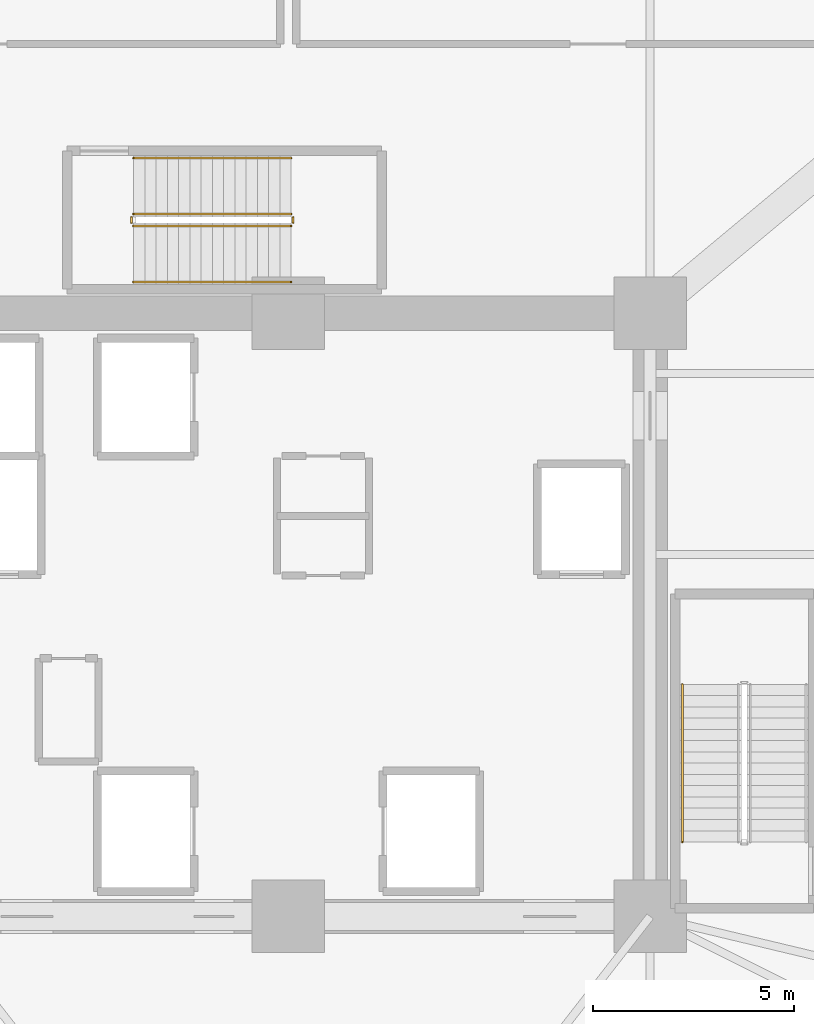
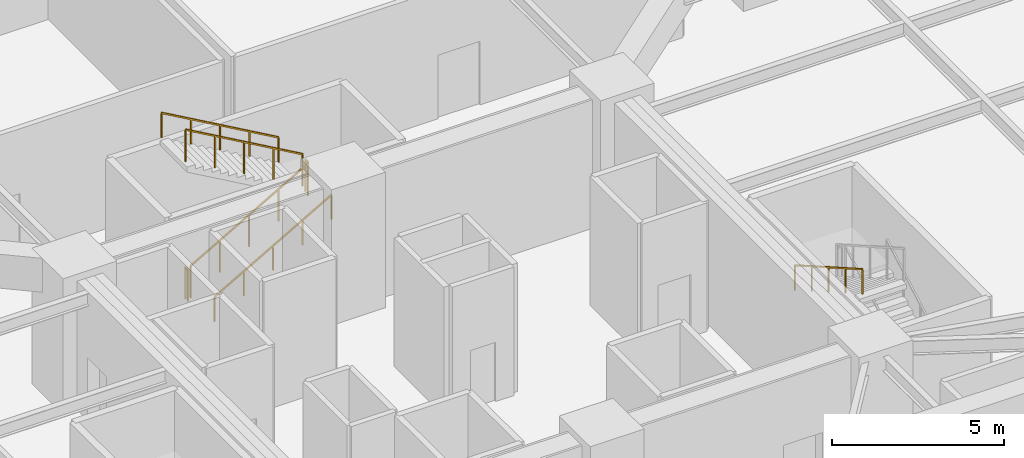
# One storey, part 18 of 20: 7 railings.
"""IFC4 building model written with IfcOpenShell, lengths in metres."""

from ifc_helpers import new_model, si_unit, direction, frame, origin, origin_2d, place, context, subcontext, project, spatial, rectangle, extrude, material, type_object, element, save


model = new_model("IFC4")

# Units and contexts
model_context = context("Model", 3, precision=1e-05, world=origin(), true_north=direction((0.0, 1.0)))
body_context = subcontext(model_context, "Body", "Model", "MODEL_VIEW")
ifc_project = project(units=[si_unit("LENGTHUNIT", "METRE"), si_unit("AREAUNIT", "SQUARE_METRE"), si_unit("VOLUMEUNIT", "CUBIC_METRE"), si_unit("PLANEANGLEUNIT", "RADIAN"), si_unit("MASSUNIT", "GRAM", prefix="KILO")], contexts=[model_context])

# Site, building, storey
site_placement = place(None, origin())
site = spatial("IfcSite", under=ifc_project, at=site_placement, CompositionType="ELEMENT")
building_placement = place(site_placement, origin())
building = spatial("IfcBuilding", under=site, at=building_placement, Name="Liaohun Quay Tower", CompositionType="ELEMENT")
storey_placement = place(building_placement, frame((0.0, 0.0, -4.800048828125)))
storey = spatial("IfcBuildingStorey", under=building, at=storey_placement, Name="B1", CompositionType="ELEMENT", Elevation=-4.800048828125)

# Railings
ifc_material_1 = material(Name="Painted tubular steel", Category="steel")
railing_type_1 = type_object("IfcRailingType", Name="RLG-GUARD-STR", PredefinedType="GUARDRAIL", material=ifc_material_1)
railing_1_placement = place(storey_placement, frame((56.14990234375, 63.669921875, 0.16015625)))
element("IfcRailing", 1, at=railing_1_placement, inside=storey, type_object=railing_type_1, Name="B1 ST-3 stair guard 1", PredefinedType="GUARDRAIL", context=body_context, shape_type="SweptSolid", body=[
    extrude(rectangle(XDim=0.048095703125, YDim=0.048095703125, at=origin_2d()), frame((0.0, 0.0, 1.1259765625), z_axis=(0.86825312469, 0.0, 0.496121468458), x_axis=(0.0, 1.0, 0.0)), (0.0, 0.0, 1.0), 4.514892578125),
    extrude(rectangle(XDim=0.0419921875, YDim=0.0419921875, at=origin_2d()), origin(), (0.0, 0.0, 1.0), 1.101806640625),
    extrude(rectangle(XDim=0.0419921875, YDim=0.0419921875, at=origin_2d()), frame((0.97998046875, 0.0, 0.56005859375)), (0.0, 0.0, 1.0), 1.101806640625),
    extrude(rectangle(XDim=0.0419921875, YDim=0.0419921875, at=origin_2d()), frame((1.9599609375, 0.0, 1.1201171875)), (0.0, 0.0, 1.0), 1.101806640625),
    extrude(rectangle(XDim=0.0419921875, YDim=0.0419921875, at=origin_2d()), frame((2.940185546875, 0.0, 1.679931640625)), (0.0, 0.0, 1.0), 1.101806640625),
    extrude(rectangle(XDim=0.0419921875, YDim=0.0419921875, at=origin_2d()), frame((3.920166015625, 0.0, 2.239990234375)), (0.0, 0.0, 1.0), 1.101806640625),
])
railing_2_placement = place(storey_placement, frame((60.1201171875, 63.75, 2.400146484375)))
element("IfcRailing", 2, at=railing_2_placement, inside=storey, type_object=railing_type_1, Name="B1 ST-3 stair guard 2", PredefinedType="GUARDRAIL", context=body_context, shape_type="SweptSolid", body=[
    extrude(rectangle(XDim=0.048095703125, YDim=0.048095703125, at=origin_2d()), frame((0.0, 0.0, 1.1259765625), z_axis=(0.0, 1.0, 0.0), x_axis=(-1.0, 0.0, 0.0)), (0.0, 0.0, 1.0), 0.139892578125),
    extrude(rectangle(XDim=0.0419921875, YDim=0.0419921875, at=origin_2d()), origin(), (0.0, 0.0, 1.0), 1.101806640625),
    extrude(rectangle(XDim=0.0419921875, YDim=0.0419921875, at=origin_2d()), frame((0.0, 0.139892578125, 0.0)), (0.0, 0.0, 1.0), 1.101806640625),
])
railing_3_placement = place(storey_placement, frame((60.070068359375, 63.969970703125, 2.56005859375)))
element("IfcRailing", 3, at=railing_3_placement, inside=storey, type_object=railing_type_1, Name="B1 ST-3 stair guard 3", PredefinedType="GUARDRAIL", context=body_context, shape_type="SweptSolid", body=[
    extrude(rectangle(XDim=0.048095703125, YDim=0.048095703125, at=origin_2d()), frame((0.0, 0.0, 1.1259765625), z_axis=(-0.86825312469, 0.0, 0.496121468458), x_axis=(0.0, -1.0, 0.0)), (0.0, 0.0, 1.0), 4.514892578125),
    extrude(rectangle(XDim=0.0419921875, YDim=0.0419921875, at=origin_2d()), origin(), (0.0, 0.0, 1.0), 1.101806640625),
    extrude(rectangle(XDim=0.0419921875, YDim=0.0419921875, at=origin_2d()), frame((-0.97998046875, 0.0, 0.56005859375)), (0.0, 0.0, 1.0), 1.101806640625),
    extrude(rectangle(XDim=0.0419921875, YDim=0.0419921875, at=origin_2d()), frame((-1.9599609375, 0.0, 1.1201171875)), (0.0, 0.0, 1.0), 1.101806640625),
    extrude(rectangle(XDim=0.0419921875, YDim=0.0419921875, at=origin_2d()), frame((-2.940185546875, 0.0, 1.679931640625)), (0.0, 0.0, 1.0), 1.101806640625),
    extrude(rectangle(XDim=0.0419921875, YDim=0.0419921875, at=origin_2d()), frame((-3.920166015625, 0.0, 2.239990234375)), (0.0, 0.0, 1.0), 1.101806640625),
])
railing_4_placement = place(storey_placement, frame((56.10009765625, 63.75, 0.0)))
element("IfcRailing", 4, at=railing_4_placement, inside=storey, type_object=railing_type_1, Name="B1 ST-3 stair guard 4", PredefinedType="GUARDRAIL", context=body_context, shape_type="SweptSolid", body=[
    extrude(rectangle(XDim=0.048095703125, YDim=0.048095703125, at=origin_2d()), frame((0.0, 0.0, 1.1259765625), z_axis=(0.0, 1.0, 0.0), x_axis=(-1.0, 0.0, 0.0)), (0.0, 0.0, 1.0), 0.139892578125),
    extrude(rectangle(XDim=0.0419921875, YDim=0.0419921875, at=origin_2d()), origin(), (0.0, 0.0, 1.0), 1.101806640625),
    extrude(rectangle(XDim=0.0419921875, YDim=0.0419921875, at=origin_2d()), frame((0.0, 0.139892578125, 0.0)), (0.0, 0.0, 1.0), 1.101806640625),
])
ifc_material_2 = material(Name="Brushed stainless steel", Category="steel")
railing_type_2 = type_object("IfcRailingType", Name="RLG-HND-STR", PredefinedType="HANDRAIL", material=ifc_material_2)
railing_5_placement = place(storey_placement, frame((69.800048828125, 52.27001953125, 2.56005859375)))
element("IfcRailing", 5, at=railing_5_placement, inside=storey, type_object=railing_type_2, Name="B1 ST-2 stair handrail 2", PredefinedType="HANDRAIL", context=body_context, shape_type="SweptSolid", body=[
    extrude(rectangle(XDim=0.048095703125, YDim=0.048095703125, at=origin_2d()), frame((0.0, 0.0, 0.8759765625), z_axis=(0.0, -0.868239814368, 0.496144761885), x_axis=(1.0, 0.0, 0.0)), (0.0, 0.0, 1.0), 4.514892578125),
    extrude(rectangle(XDim=0.0419921875, YDim=0.0419921875, at=origin_2d()), origin(), (0.0, 0.0, 1.0), 0.851806640625),
    extrude(rectangle(XDim=0.0419921875, YDim=0.0419921875, at=origin_2d()), frame((0.0, -0.97998046875, 0.56005859375)), (0.0, 0.0, 1.0), 0.851806640625),
    extrude(rectangle(XDim=0.0419921875, YDim=0.0419921875, at=origin_2d()), frame((0.0, -1.9599609375, 1.1201171875)), (0.0, 0.0, 1.0), 0.851806640625),
    extrude(rectangle(XDim=0.0419921875, YDim=0.0419921875, at=origin_2d()), frame((0.0, -2.93994140625, 1.679931640625)), (0.0, 0.0, 1.0), 0.851806640625),
    extrude(rectangle(XDim=0.0419921875, YDim=0.0419921875, at=origin_2d()), frame((0.0, -3.919921875, 2.239990234375)), (0.0, 0.0, 1.0), 0.851806640625),
])
railing_6_placement = place(storey_placement, frame((56.14990234375, 62.280029296875, 0.16015625)))
element("IfcRailing", 6, at=railing_6_placement, inside=storey, type_object=railing_type_2, Name="B1 ST-3 stair handrail 1", PredefinedType="HANDRAIL", context=body_context, shape_type="SweptSolid", body=[
    extrude(rectangle(XDim=0.048095703125, YDim=0.048095703125, at=origin_2d()), frame((0.0, 0.0, 0.8759765625), z_axis=(0.86825312469, 0.0, 0.496121468458), x_axis=(0.0, 1.0, 0.0)), (0.0, 0.0, 1.0), 4.514892578125),
    extrude(rectangle(XDim=0.0419921875, YDim=0.0419921875, at=origin_2d()), origin(), (0.0, 0.0, 1.0), 0.851806640625),
    extrude(rectangle(XDim=0.0419921875, YDim=0.0419921875, at=origin_2d()), frame((0.97998046875, 0.0, 0.56005859375)), (0.0, 0.0, 1.0), 0.851806640625),
    extrude(rectangle(XDim=0.0419921875, YDim=0.0419921875, at=origin_2d()), frame((1.9599609375, 0.0, 1.1201171875)), (0.0, 0.0, 1.0), 0.851806640625),
    extrude(rectangle(XDim=0.0419921875, YDim=0.0419921875, at=origin_2d()), frame((2.940185546875, 0.0, 1.679931640625)), (0.0, 0.0, 1.0), 0.851806640625),
    extrude(rectangle(XDim=0.0419921875, YDim=0.0419921875, at=origin_2d()), frame((3.920166015625, 0.0, 2.239990234375)), (0.0, 0.0, 1.0), 0.851806640625),
])
railing_7_placement = place(storey_placement, frame((60.070068359375, 65.360107421875, 2.56005859375)))
element("IfcRailing", 7, at=railing_7_placement, inside=storey, type_object=railing_type_2, Name="B1 ST-3 stair handrail 2", PredefinedType="HANDRAIL", context=body_context, shape_type="SweptSolid", body=[
    extrude(rectangle(XDim=0.048095703125, YDim=0.048095703125, at=origin_2d()), frame((0.0, 0.0, 0.8759765625), z_axis=(-0.86825312469, 0.0, 0.496121468458), x_axis=(0.0, -1.0, 0.0)), (0.0, 0.0, 1.0), 4.514892578125),
    extrude(rectangle(XDim=0.0419921875, YDim=0.0419921875, at=origin_2d()), origin(), (0.0, 0.0, 1.0), 0.851806640625),
    extrude(rectangle(XDim=0.0419921875, YDim=0.0419921875, at=origin_2d()), frame((-0.97998046875, 0.0, 0.56005859375)), (0.0, 0.0, 1.0), 0.851806640625),
    extrude(rectangle(XDim=0.0419921875, YDim=0.0419921875, at=origin_2d()), frame((-1.9599609375, 0.0, 1.1201171875)), (0.0, 0.0, 1.0), 0.851806640625),
    extrude(rectangle(XDim=0.0419921875, YDim=0.0419921875, at=origin_2d()), frame((-2.940185546875, 0.0, 1.679931640625)), (0.0, 0.0, 1.0), 0.851806640625),
    extrude(rectangle(XDim=0.0419921875, YDim=0.0419921875, at=origin_2d()), frame((-3.920166015625, 0.0, 2.239990234375)), (0.0, 0.0, 1.0), 0.851806640625),
])

save(model, "model.ifc")
